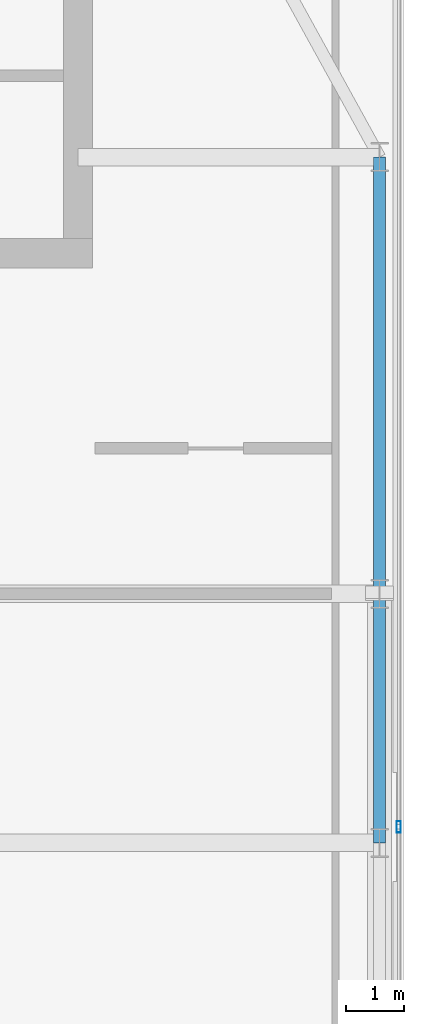
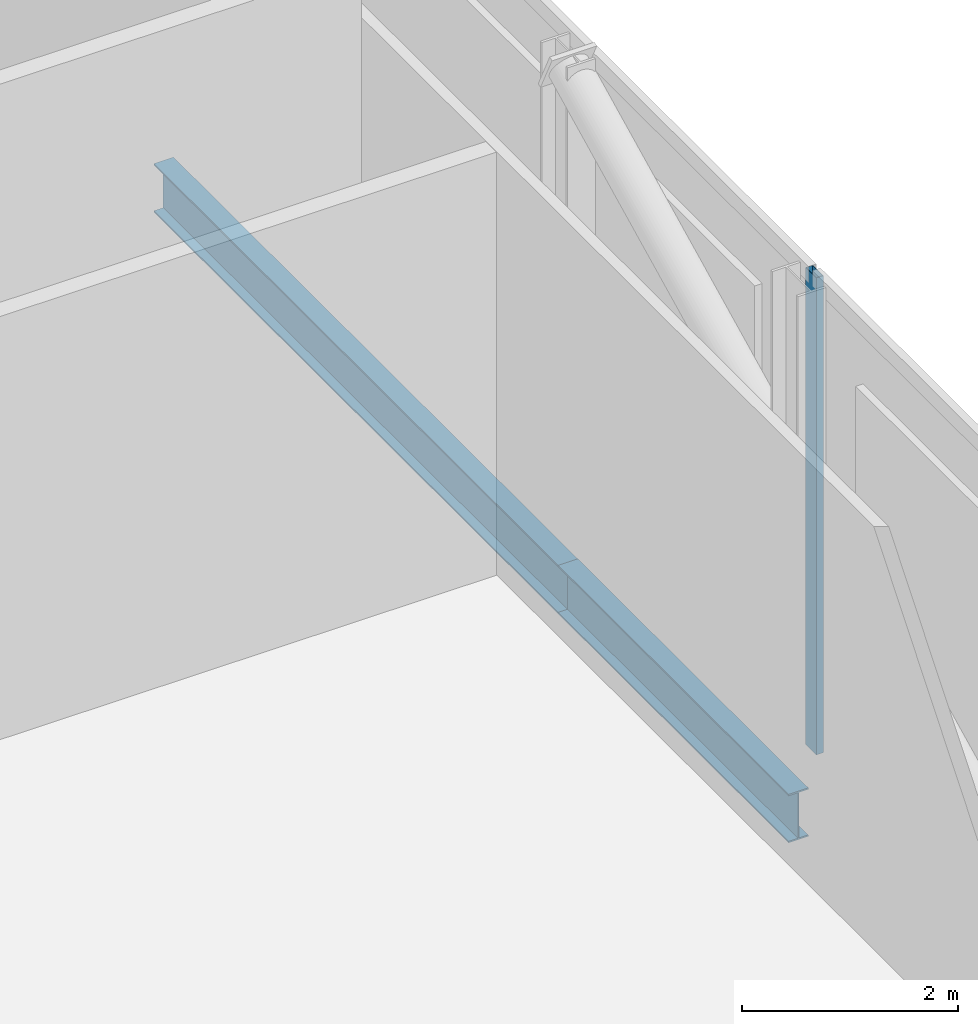
# One storey, part 14 of 22: 2 beams, 1 member, 1 element without a shape of its own.
"""IFC4 building model written with IfcOpenShell, lengths in metres."""

from ifc_helpers import new_model, si_unit, direction, frame, origin, origin_2d, place, context, subcontext, project, spatial, hollow_rectangle, i_section, extrude, material, material_profile, profile_set, type_object, element, aggregate, save


model = new_model("IFC4")

# Units and contexts
model_context = context("Model", 3, precision=1e-05, world=origin(), true_north=direction((0.0, 1.0)))
body_context = subcontext(model_context, "Body", "Model", "MODEL_VIEW")
ifc_project = project(units=[si_unit("LENGTHUNIT", "METRE"), si_unit("AREAUNIT", "SQUARE_METRE"), si_unit("VOLUMEUNIT", "CUBIC_METRE"), si_unit("PLANEANGLEUNIT", "RADIAN"), si_unit("MASSUNIT", "GRAM", prefix="KILO")], contexts=[model_context])

# Site, building, storey
site_placement = place(None, origin())
site = spatial("IfcSite", under=ifc_project, at=site_placement, CompositionType="ELEMENT")
building_placement = place(site_placement, origin())
building = spatial("IfcBuilding", under=site, at=building_placement, Name="Khoronbel Lancet Exchange", CompositionType="ELEMENT")
storey_placement = place(building_placement, frame((0.0, 0.0, 361.800048828125)))
storey = spatial("IfcBuildingStorey", under=building, at=storey_placement, Name="L93", CompositionType="ELEMENT", Elevation=361.800048828125)

# Beams
ifc_material_1 = material(Name="Steel S355", Category="steel")
ifc_material_profile_1 = material_profile(ifc_material_1, i_section(OverallWidth=0.2099609375, OverallDepth=0.550048828125, WebThickness=0.010986328125, FlangeThickness=0.01708984375, at=origin_2d()), Name="IPE 550")
ifc_profile_set_1 = profile_set([ifc_material_profile_1], Name="Steel S355")
beam_type = type_object("IfcBeamType", Name="BM-BSP3", PredefinedType="SPANDREL", material=ifc_profile_set_1)
beam_1_placement = place(storey_placement, frame((61.6298828125, 31.425048828125, -0.47509765625), z_axis=(0.0, 1.0, 0.0), x_axis=(-1.0, 0.0, 0.0)))
element("IfcBeam", 1, at=beam_1_placement, inside=storey, type_object=beam_type, Name="Level L93 perimeter spandrel beam SP11", PredefinedType="SPANDREL", context=body_context, shape_type="SweptSolid", body=[
    extrude(i_section(OverallWidth=0.2099609375, OverallDepth=0.550048828125, WebThickness=0.010986328125, FlangeThickness=0.01708984375, at=origin_2d()), origin(), (0.0, 0.0, 1.0), 4.27490234375),
])
beam_2_placement = place(storey_placement, frame((61.6298828125, 35.699951171875, -0.47509765625), z_axis=(0.0, 1.0, 0.0), x_axis=(-1.0, 0.0, 0.0)))
element("IfcBeam", 2, at=beam_2_placement, inside=storey, type_object=beam_type, Name="Level L93 perimeter spandrel beam SP12", PredefinedType="SPANDREL", context=body_context, shape_type="SweptSolid", body=[
    extrude(i_section(OverallWidth=0.2099609375, OverallDepth=0.550048828125, WebThickness=0.010986328125, FlangeThickness=0.01708984375, at=origin_2d()), origin(), (0.0, 0.0, 1.0), 7.5),
])

# Curtain wall, member
ifc_material_2 = material(Name="Low-E Solar Control Insulating Glass", Category="glass")
curtain_wall_type = type_object("IfcCurtainWallType", Name="CW-6", PredefinedType="NOTDEFINED", material=ifc_material_2)
curtain_wall_placement = place(storey_placement, origin())
curtain_wall = element("IfcCurtainWall", 3, at=curtain_wall_placement, inside=storey, type_object=curtain_wall_type, Name="Unitised curtain wall CW-L93-E09", PredefinedType="NOTDEFINED")
ifc_material_3 = material(Name="Bronze-Anodised Aluminium 6063-T6", Category="aluminium")
ifc_material_profile_2 = material_profile(ifc_material_3, hollow_rectangle(XDim=0.074951171875, YDim=0.199951171875, WallThickness=0.0048828125, at=origin_2d()), Name="ALU MULLION 75x200")
ifc_profile_set_2 = profile_set([ifc_material_profile_2], Name="Bronze-Anodised Aluminium 6063-T6")
member_type = type_object("IfcMemberType", Name="MEM-CWM2", PredefinedType="MULLION", material=ifc_profile_set_2)
member_placement = place(storey_placement, frame((61.9599609375, 31.699951171875, 0.0), z_axis=(0.0, 0.0, 1.0), x_axis=(1.0, 0.0, 0.0)))
member = element("IfcMember", 4, at=member_placement, type_object=member_type, Name="CW6 mullion 2", PredefinedType="MULLION", context=body_context, shape_type="SweptSolid", body=[
    extrude(hollow_rectangle(XDim=0.074951171875, YDim=0.199951171875, WallThickness=0.0048828125, at=origin_2d()), origin(), (0.0, 0.0, 1.0), 5.39990234375),
])
aggregate(curtain_wall, [member])

save(model, "model.ifc")
